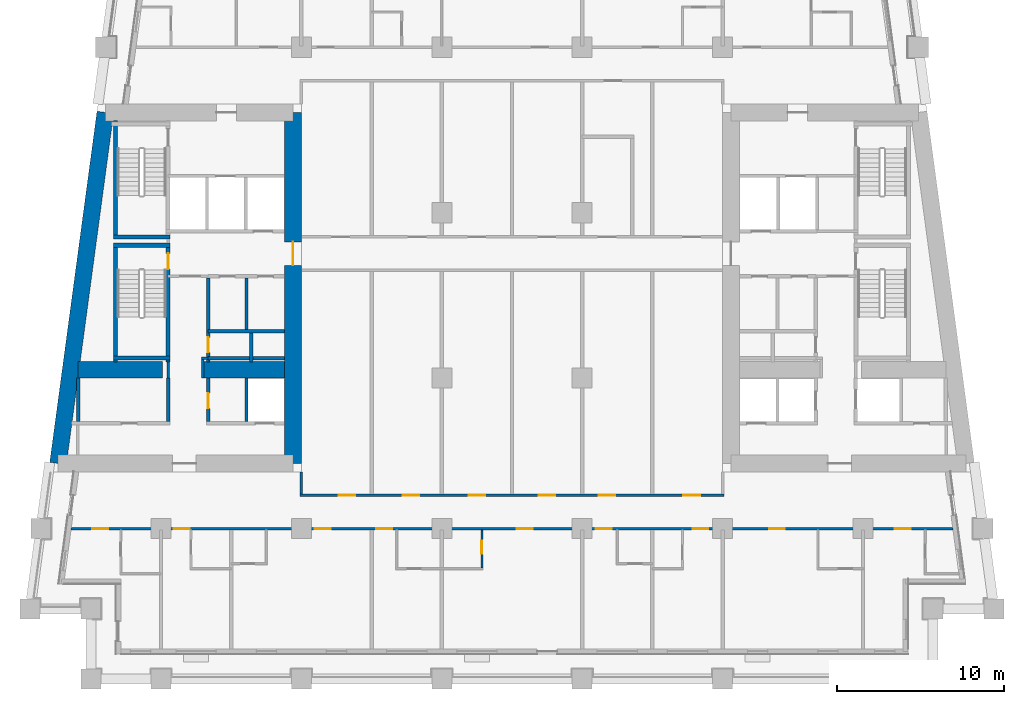
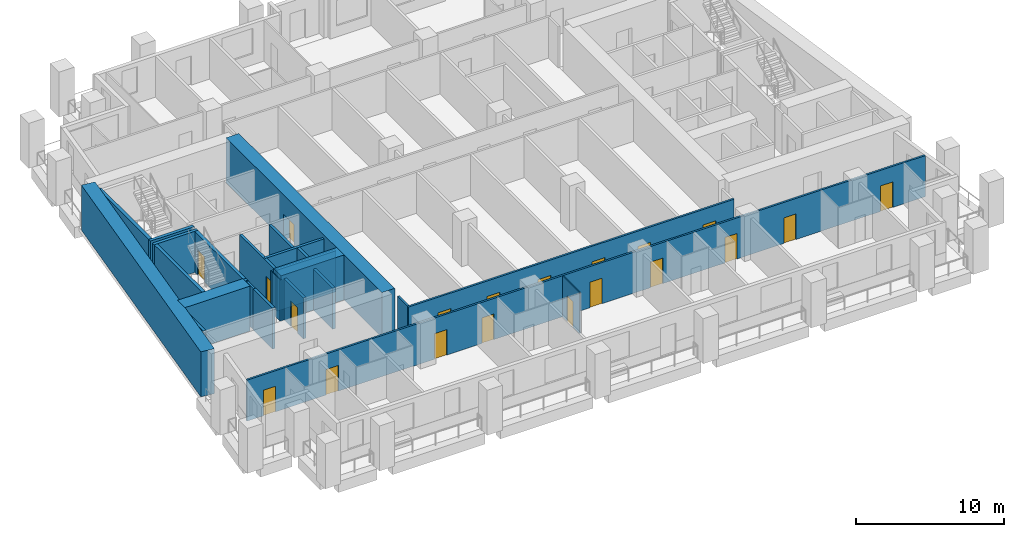
# One storey, part 3 of 13: 26 walls, 20 doors, 20 openings.
"""IFC4 building model written with IfcOpenShell, lengths in metres."""

from ifc_helpers import new_model, si_unit, direction, frame, frame_2d, origin, place, context, subcontext, project, spatial, rectangle, extrude, material, layer, layer_set, type_object, element, fill, save


model = new_model("IFC4")

# Units and contexts
model_context = context("Model", 3, precision=1e-05, world=origin(), true_north=direction((0.0, 1.0)))
body_context = subcontext(model_context, "Body", "Model", "MODEL_VIEW")
ifc_project = project(units=[si_unit("LENGTHUNIT", "METRE"), si_unit("AREAUNIT", "SQUARE_METRE"), si_unit("VOLUMEUNIT", "CUBIC_METRE"), si_unit("PLANEANGLEUNIT", "RADIAN"), si_unit("MASSUNIT", "GRAM", prefix="KILO")], contexts=[model_context])

# Site, building, storey
site_placement = place(None, origin())
site = spatial("IfcSite", under=ifc_project, at=site_placement, CompositionType="ELEMENT")
building_placement = place(site_placement, origin())
building = spatial("IfcBuilding", under=site, at=building_placement, Name="Candeia Pilgrim Tower and Theatre", CompositionType="ELEMENT")
storey_placement = place(building_placement, frame((0.0, 0.0, 98.39990234375)))
storey = spatial("IfcBuildingStorey", under=building, at=storey_placement, Name="L22", CompositionType="ELEMENT", Elevation=98.39990234375)

# Wall, opening, door
ifc_material_1 = material(Name="Concrete C70/85", Category="concrete")
ifc_layer_1 = layer(ifc_material_1, 1.0)
ifc_layer_set_1 = layer_set([ifc_layer_1], Name="Core wall 1000 C70/85")
wall_type_1 = type_object("IfcWallType", Name="Core wall 1000 C70/85", PredefinedType="SHEAR", material=ifc_layer_set_1)
wall_1_placement = place(storey_placement, frame((100.300048828125, 131.89990234375, 0.0), z_axis=(0.0, 0.0, 1.0), x_axis=(0.0, -1.0, 0.0)))
wall_1 = element("IfcWall", 1, at=wall_1_placement, inside=storey, type_object=wall_type_1, Name="Core wall W2", PredefinedType="SHEAR", context=body_context, shape_type="SweptSolid", body=[
    extrude(rectangle(XDim=21.0, YDim=1.0, at=frame_2d((10.5, 0.0))), origin(), (0.0, 0.0, 1.0), 3.7001953125),
])
opening_1_placement = place(wall_1_placement, frame((7.75, 0.0, 0.0)))
opening_1 = element("IfcOpeningElement", 2, at=opening_1_placement, cuts=wall_1, Name="Opening L22-D061", PredefinedType="OPENING", context=body_context, shape_type="SweptSolid", body=[
    extrude(rectangle(XDim=1.39990234375, YDim=2.10009765625, at=frame_2d((0.699951171875, 1.050048828125))), frame((0.0, 0.510009765625, 0.0), z_axis=(0.0, -1.0, 0.0), x_axis=(1.0, 0.0, 0.0)), (0.0, 0.0, 1.0), 1.02001953125),
])
ifc_material_2 = material(Name="Steel fire door set", Category="steel")
door_type_1 = type_object("IfcDoorType", Name="D-1400-FD60", OperationType="NOTDEFINED", PredefinedType="DOOR", material=ifc_material_2)
door_1_placement = place(opening_1_placement, origin())
door_1 = element("IfcDoor", 3, at=door_1_placement, inside=storey, type_object=door_type_1, Name="Door L22-D061", OperationType="SINGLE_SWING_LEFT", OverallHeight=2.10009765625, OverallWidth=1.39990234375, PredefinedType="DOOR", context=body_context, shape_type="SweptSolid", body=[
    extrude(rectangle(XDim=1.39990234375, YDim=2.10009765625, at=frame_2d((0.699951171875, 1.050048828125))), frame((0.0, 0.02490234375, 0.0), z_axis=(0.0, -1.0, 0.0), x_axis=(1.0, 0.0, 0.0)), (0.0, 0.0, 1.0), 0.050048828125),
])
fill(opening_1, door_1)

# Walls
wall_2_placement = place(storey_placement, frame((86.240966796875, 110.89990234375, 0.0), z_axis=(0.0, 0.0, 1.0), x_axis=(0.133411141623, 0.991060778808, 0.0)))
element("IfcWall", 4, at=wall_2_placement, inside=storey, type_object=wall_type_1, Name="Core wall W4", PredefinedType="SHEAR", context=body_context, shape_type="SweptSolid", body=[
    extrude(rectangle(XDim=21.189453125, YDim=1.0, at=frame_2d((10.5947265625, 0.0))), origin(), (0.0, 0.0, 1.0), 3.7001953125),
])
wall_3_placement = place(storey_placement, frame((87.423095703125, 116.5, 0.0), z_axis=(0.0, 0.0, 1.0), x_axis=(1.0, 0.0, 0.0)))
element("IfcWall", 5, at=wall_3_placement, inside=storey, type_object=wall_type_1, Name="Core wall W5", PredefinedType="SHEAR", context=body_context, shape_type="SweptSolid", body=[
    extrude(rectangle(XDim=5.076904296875, YDim=1.0, at=frame_2d((2.53857421875, 0.0))), origin(), (0.0, 0.0, 1.0), 3.7001953125),
])
wall_4_placement = place(storey_placement, frame((94.89990234375, 116.5, 0.0), z_axis=(0.0, 0.0, 1.0), x_axis=(1.0, 0.0, 0.0)))
element("IfcWall", 6, at=wall_4_placement, inside=storey, type_object=wall_type_1, Name="Core wall W6", PredefinedType="SHEAR", context=body_context, shape_type="SweptSolid", body=[
    extrude(rectangle(XDim=4.900146484375, YDim=1.0, at=frame_2d((2.4501953125, 0.0))), origin(), (0.0, 0.0, 1.0), 3.7001953125),
])

# Wall, opening, door
ifc_material_3 = material(Name="Gypsum board partition on steel studs", Category="steel")
ifc_layer_2 = layer(ifc_material_3, 0.10009765625)
ifc_layer_set_2 = layer_set([ifc_layer_2], Name="PW-100 room partition")
wall_type_2 = type_object("IfcWallType", Name="PW-100 room partition", PredefinedType="PARTITIONING", material=ifc_layer_set_2)
wall_5_placement = place(storey_placement, frame((111.60009765625, 104.64990234375, 0.0), z_axis=(0.0, 0.0, 1.0), x_axis=(0.0, 1.0, 0.0)))
wall_5 = element("IfcWall", 7, at=wall_5_placement, inside=storey, type_object=wall_type_2, Name="Room partition L22-085", PredefinedType="PARTITIONING", context=body_context, shape_type="SweptSolid", body=[
    extrude(rectangle(XDim=2.275146484375, YDim=0.10009765625, at=frame_2d((1.1376953125, 0.0))), origin(), (0.0, 0.0, 1.0), 3.380126953125),
])
opening_2_placement = place(wall_5_placement, frame((0.840087890625, 0.0, 0.0)))
opening_2 = element("IfcOpeningElement", 8, at=opening_2_placement, cuts=wall_5, Name="Opening L22-D025", PredefinedType="OPENING", context=body_context, shape_type="SweptSolid", body=[
    extrude(rectangle(XDim=0.800048828125, YDim=2.10009765625, at=frame_2d((0.39990234375, 1.050048828125))), frame((0.0, 0.06005859375, 0.0), z_axis=(0.0, -1.0, 0.0), x_axis=(1.0, 0.0, 0.0)), (0.0, 0.0, 1.0), 0.1201171875),
])
ifc_material_4 = material(Name="Timber door leaf", Category="wood")
door_type_2 = type_object("IfcDoorType", Name="D-800", OperationType="NOTDEFINED", PredefinedType="DOOR", material=ifc_material_4)
door_2_placement = place(opening_2_placement, origin())
door_2 = element("IfcDoor", 9, at=door_2_placement, inside=storey, type_object=door_type_2, Name="Door L22-D025", OperationType="SINGLE_SWING_LEFT", OverallHeight=2.10009765625, OverallWidth=0.800048828125, PredefinedType="DOOR", context=body_context, shape_type="SweptSolid", body=[
    extrude(rectangle(XDim=0.800048828125, YDim=2.10009765625, at=frame_2d((0.39990234375, 1.050048828125))), frame((0.0, 0.02490234375, 0.0), z_axis=(0.0, -1.0, 0.0), x_axis=(1.0, 0.0, 0.0)), (0.0, 0.0, 1.0), 0.050048828125),
])
fill(opening_2, door_2)

# Walls
ifc_layer_3 = layer(ifc_material_3, 0.14990234375)
ifc_layer_set_3 = layer_set([ifc_layer_3], Name="PW-150 lobby wall")
wall_type_3 = type_object("IfcWallType", Name="PW-150 lobby wall", PredefinedType="PARTITIONING", material=ifc_layer_set_3)
wall_6_placement = place(storey_placement, frame((94.824951171875, 117.199951171875, 0.0), z_axis=(0.0, 0.0, 1.0), x_axis=(1.0, 0.0, 0.0)))
element("IfcWall", 10, at=wall_6_placement, inside=storey, type_object=wall_type_3, Name="Lobby wall L22-017", PredefinedType="PARTITIONING", context=body_context, shape_type="SweptSolid", body=[
    extrude(rectangle(XDim=0.402099609375, YDim=0.14990234375, at=frame_2d((0.201171875, 0.0))), origin(), (0.0, 0.0, 1.0), 3.380126953125),
])
wall_7_placement = place(storey_placement, frame((92.826904296875, 116.0, 0.0), z_axis=(0.0, 0.0, 1.0), x_axis=(0.0, 1.0, 0.0)))
element("IfcWall", 11, at=wall_7_placement, inside=storey, type_object=wall_type_3, Name="Lobby wall L22-055", PredefinedType="PARTITIONING", context=body_context, shape_type="SweptSolid", body=[
    extrude(rectangle(XDim=0.969970703125, YDim=0.14990234375, at=frame_2d((0.48486328125, 0.0))), origin(), (0.0, 0.0, 1.0), 3.380126953125),
])
wall_8_placement = place(storey_placement, frame((94.89990234375, 116.0, 0.0), z_axis=(0.0, 0.0, 1.0), x_axis=(0.0, 1.0, 0.0)))
element("IfcWall", 12, at=wall_8_placement, inside=storey, type_object=wall_type_3, Name="Lobby wall L22-061", PredefinedType="PARTITIONING", context=body_context, shape_type="SweptSolid", body=[
    extrude(rectangle(XDim=1.125, YDim=0.14990234375, at=frame_2d((0.5625, 0.0))), origin(), (0.0, 0.0, 1.0), 3.380126953125),
])

# Wall, openings, doors
ifc_layer_4 = layer(ifc_material_3, 0.14990234375)
ifc_layer_set_4 = layer_set([ifc_layer_4], Name="PW-150 unit wall")
wall_type_4 = type_object("IfcWallType", Name="PW-150 unit wall", PredefinedType="PARTITIONING", material=ifc_layer_set_4)
wall_9_placement = place(storey_placement, frame((87.017578125, 107.0, 0.0), z_axis=(0.0, 0.0, 1.0), x_axis=(1.0, 0.0, 0.0)))
wall_9 = element("IfcWall", 13, at=wall_9_placement, inside=storey, type_object=wall_type_4, Name="Unit wall L22-009", PredefinedType="PARTITIONING", context=body_context, shape_type="SweptSolid", body=[
    extrude(rectangle(XDim=52.7646484375, YDim=0.14990234375, at=frame_2d((26.38232421875, 0.0))), origin(), (0.0, 0.0, 1.0), 3.380126953125),
])
opening_3_placement = place(wall_9_placement, frame((1.2763671875, 0.0, 0.0)))
opening_3 = element("IfcOpeningElement", 14, at=opening_3_placement, cuts=wall_9, Name="Opening L22-D016", PredefinedType="OPENING", context=body_context, shape_type="SweptSolid", body=[
    extrude(rectangle(XDim=0.949951171875, YDim=2.10009765625, at=frame_2d((0.47509765625, 1.050048828125))), frame((0.0, 0.0849609375, 0.0), z_axis=(0.0, -1.0, 0.0), x_axis=(1.0, 0.0, 0.0)), (0.0, 0.0, 1.0), 0.169921875),
])
opening_4_placement = place(wall_9_placement, frame((6.15234375, 0.0, 0.0)))
opening_4 = element("IfcOpeningElement", 15, at=opening_4_placement, cuts=wall_9, Name="Opening L22-D018", PredefinedType="OPENING", context=body_context, shape_type="SweptSolid", body=[
    extrude(rectangle(XDim=0.949951171875, YDim=2.10009765625, at=frame_2d((0.47509765625, 1.050048828125))), frame((0.0, 0.0849609375, 0.0), z_axis=(0.0, -1.0, 0.0), x_axis=(1.0, 0.0, 0.0)), (0.0, 0.0, 1.0), 0.169921875),
])
opening_5_placement = place(wall_9_placement, frame((14.59033203125, 0.0, 0.0)))
opening_5 = element("IfcOpeningElement", 16, at=opening_5_placement, cuts=wall_9, Name="Opening L22-D020", PredefinedType="OPENING", context=body_context, shape_type="SweptSolid", body=[
    extrude(rectangle(XDim=0.949951171875, YDim=2.10009765625, at=frame_2d((0.47509765625, 1.050048828125))), frame((0.0, 0.0849609375, 0.0), z_axis=(0.0, -1.0, 0.0), x_axis=(1.0, 0.0, 0.0)), (0.0, 0.0, 1.0), 0.169921875),
])
opening_6_placement = place(wall_9_placement, frame((18.25732421875, 0.0, 0.0)))
opening_6 = element("IfcOpeningElement", 17, at=opening_6_placement, cuts=wall_9, Name="Opening L22-D022", PredefinedType="OPENING", context=body_context, shape_type="SweptSolid", body=[
    extrude(rectangle(XDim=0.949951171875, YDim=2.10009765625, at=frame_2d((0.47509765625, 1.050048828125))), frame((0.0, 0.0849609375, 0.0), z_axis=(0.0, -1.0, 0.0), x_axis=(1.0, 0.0, 0.0)), (0.0, 0.0, 1.0), 0.169921875),
])
opening_7_placement = place(wall_9_placement, frame((26.67236328125, 0.0, 0.0)))
opening_7 = element("IfcOpeningElement", 18, at=opening_7_placement, cuts=wall_9, Name="Opening L22-D024", PredefinedType="OPENING", context=body_context, shape_type="SweptSolid", body=[
    extrude(rectangle(XDim=0.949951171875, YDim=2.10009765625, at=frame_2d((0.47509765625, 1.050048828125))), frame((0.0, 0.0849609375, 0.0), z_axis=(0.0, -1.0, 0.0), x_axis=(1.0, 0.0, 0.0)), (0.0, 0.0, 1.0), 0.169921875),
])
opening_8_placement = place(wall_9_placement, frame((31.392333984375, 0.0, 0.0)))
opening_8 = element("IfcOpeningElement", 19, at=opening_8_placement, cuts=wall_9, Name="Opening L22-D026", PredefinedType="OPENING", context=body_context, shape_type="SweptSolid", body=[
    extrude(rectangle(XDim=0.949951171875, YDim=2.10009765625, at=frame_2d((0.47509765625, 1.050048828125))), frame((0.0, 0.0849609375, 0.0), z_axis=(0.0, -1.0, 0.0), x_axis=(1.0, 0.0, 0.0)), (0.0, 0.0, 1.0), 0.169921875),
])
opening_9_placement = place(wall_9_placement, frame((37.182373046875, 0.0, 0.0)))
opening_9 = element("IfcOpeningElement", 20, at=opening_9_placement, cuts=wall_9, Name="Opening L22-D028", PredefinedType="OPENING", context=body_context, shape_type="SweptSolid", body=[
    extrude(rectangle(XDim=0.949951171875, YDim=2.10009765625, at=frame_2d((0.47509765625, 1.050048828125))), frame((0.0, 0.0849609375, 0.0), z_axis=(0.0, -1.0, 0.0), x_axis=(1.0, 0.0, 0.0)), (0.0, 0.0, 1.0), 0.169921875),
])
opening_10_placement = place(wall_9_placement, frame((41.76220703125, 0.0, 0.0)))
opening_10 = element("IfcOpeningElement", 21, at=opening_10_placement, cuts=wall_9, Name="Opening L22-D030", PredefinedType="OPENING", context=body_context, shape_type="SweptSolid", body=[
    extrude(rectangle(XDim=0.949951171875, YDim=2.10009765625, at=frame_2d((0.47509765625, 1.050048828125))), frame((0.0, 0.0849609375, 0.0), z_axis=(0.0, -1.0, 0.0), x_axis=(1.0, 0.0, 0.0)), (0.0, 0.0, 1.0), 0.169921875),
])
opening_11_placement = place(wall_9_placement, frame((49.285400390625, 0.0, 0.0)))
opening_11 = element("IfcOpeningElement", 22, at=opening_11_placement, cuts=wall_9, Name="Opening L22-D032", PredefinedType="OPENING", context=body_context, shape_type="SweptSolid", body=[
    extrude(rectangle(XDim=0.949951171875, YDim=2.10009765625, at=frame_2d((0.47509765625, 1.050048828125))), frame((0.0, 0.0849609375, 0.0), z_axis=(0.0, -1.0, 0.0), x_axis=(1.0, 0.0, 0.0)), (0.0, 0.0, 1.0), 0.169921875),
])
door_type_3 = type_object("IfcDoorType", Name="D-950-FD30S", OperationType="NOTDEFINED", PredefinedType="DOOR", material=ifc_material_2)
door_3_placement = place(opening_3_placement, origin())
door_3 = element("IfcDoor", 23, at=door_3_placement, inside=storey, type_object=door_type_3, Name="Door L22-D016", OperationType="SINGLE_SWING_RIGHT", OverallHeight=2.10009765625, OverallWidth=0.949951171875, PredefinedType="DOOR", context=body_context, shape_type="SweptSolid", body=[
    extrude(rectangle(XDim=0.949951171875, YDim=2.10009765625, at=frame_2d((0.47509765625, 1.050048828125))), frame((0.0, 0.02490234375, 0.0), z_axis=(0.0, -1.0, 0.0), x_axis=(1.0, 0.0, 0.0)), (0.0, 0.0, 1.0), 0.050048828125),
])
fill(opening_3, door_3)
door_4_placement = place(opening_4_placement, origin())
door_4 = element("IfcDoor", 24, at=door_4_placement, inside=storey, type_object=door_type_3, Name="Door L22-D018", OperationType="SINGLE_SWING_RIGHT", OverallHeight=2.10009765625, OverallWidth=0.949951171875, PredefinedType="DOOR", context=body_context, shape_type="SweptSolid", body=[
    extrude(rectangle(XDim=0.949951171875, YDim=2.10009765625, at=frame_2d((0.47509765625, 1.050048828125))), frame((0.0, 0.02490234375, 0.0), z_axis=(0.0, -1.0, 0.0), x_axis=(1.0, 0.0, 0.0)), (0.0, 0.0, 1.0), 0.050048828125),
])
fill(opening_4, door_4)
door_5_placement = place(opening_5_placement, origin())
door_5 = element("IfcDoor", 25, at=door_5_placement, inside=storey, type_object=door_type_3, Name="Door L22-D020", OperationType="SINGLE_SWING_RIGHT", OverallHeight=2.10009765625, OverallWidth=0.949951171875, PredefinedType="DOOR", context=body_context, shape_type="SweptSolid", body=[
    extrude(rectangle(XDim=0.949951171875, YDim=2.10009765625, at=frame_2d((0.47509765625, 1.050048828125))), frame((0.0, 0.02490234375, 0.0), z_axis=(0.0, -1.0, 0.0), x_axis=(1.0, 0.0, 0.0)), (0.0, 0.0, 1.0), 0.050048828125),
])
fill(opening_5, door_5)
door_6_placement = place(opening_6_placement, origin())
door_6 = element("IfcDoor", 26, at=door_6_placement, inside=storey, type_object=door_type_3, Name="Door L22-D022", OperationType="SINGLE_SWING_RIGHT", OverallHeight=2.10009765625, OverallWidth=0.949951171875, PredefinedType="DOOR", context=body_context, shape_type="SweptSolid", body=[
    extrude(rectangle(XDim=0.949951171875, YDim=2.10009765625, at=frame_2d((0.47509765625, 1.050048828125))), frame((0.0, 0.02490234375, 0.0), z_axis=(0.0, -1.0, 0.0), x_axis=(1.0, 0.0, 0.0)), (0.0, 0.0, 1.0), 0.050048828125),
])
fill(opening_6, door_6)
door_7_placement = place(opening_7_placement, origin())
door_7 = element("IfcDoor", 27, at=door_7_placement, inside=storey, type_object=door_type_3, Name="Door L22-D024", OperationType="SINGLE_SWING_RIGHT", OverallHeight=2.10009765625, OverallWidth=0.949951171875, PredefinedType="DOOR", context=body_context, shape_type="SweptSolid", body=[
    extrude(rectangle(XDim=0.949951171875, YDim=2.10009765625, at=frame_2d((0.47509765625, 1.050048828125))), frame((0.0, 0.02490234375, 0.0), z_axis=(0.0, -1.0, 0.0), x_axis=(1.0, 0.0, 0.0)), (0.0, 0.0, 1.0), 0.050048828125),
])
fill(opening_7, door_7)
door_8_placement = place(opening_8_placement, origin())
door_8 = element("IfcDoor", 28, at=door_8_placement, inside=storey, type_object=door_type_3, Name="Door L22-D026", OperationType="SINGLE_SWING_RIGHT", OverallHeight=2.10009765625, OverallWidth=0.949951171875, PredefinedType="DOOR", context=body_context, shape_type="SweptSolid", body=[
    extrude(rectangle(XDim=0.949951171875, YDim=2.10009765625, at=frame_2d((0.47509765625, 1.050048828125))), frame((0.0, 0.02490234375, 0.0), z_axis=(0.0, -1.0, 0.0), x_axis=(1.0, 0.0, 0.0)), (0.0, 0.0, 1.0), 0.050048828125),
])
fill(opening_8, door_8)
door_9_placement = place(opening_9_placement, origin())
door_9 = element("IfcDoor", 29, at=door_9_placement, inside=storey, type_object=door_type_3, Name="Door L22-D028", OperationType="SINGLE_SWING_RIGHT", OverallHeight=2.10009765625, OverallWidth=0.949951171875, PredefinedType="DOOR", context=body_context, shape_type="SweptSolid", body=[
    extrude(rectangle(XDim=0.949951171875, YDim=2.10009765625, at=frame_2d((0.47509765625, 1.050048828125))), frame((0.0, 0.02490234375, 0.0), z_axis=(0.0, -1.0, 0.0), x_axis=(1.0, 0.0, 0.0)), (0.0, 0.0, 1.0), 0.050048828125),
])
fill(opening_9, door_9)
door_10_placement = place(opening_10_placement, origin())
door_10 = element("IfcDoor", 30, at=door_10_placement, inside=storey, type_object=door_type_3, Name="Door L22-D030", OperationType="SINGLE_SWING_RIGHT", OverallHeight=2.10009765625, OverallWidth=0.949951171875, PredefinedType="DOOR", context=body_context, shape_type="SweptSolid", body=[
    extrude(rectangle(XDim=0.949951171875, YDim=2.10009765625, at=frame_2d((0.47509765625, 1.050048828125))), frame((0.0, 0.02490234375, 0.0), z_axis=(0.0, -1.0, 0.0), x_axis=(1.0, 0.0, 0.0)), (0.0, 0.0, 1.0), 0.050048828125),
])
fill(opening_10, door_10)
door_11_placement = place(opening_11_placement, origin())
door_11 = element("IfcDoor", 31, at=door_11_placement, inside=storey, type_object=door_type_3, Name="Door L22-D032", OperationType="SINGLE_SWING_RIGHT", OverallHeight=2.10009765625, OverallWidth=0.949951171875, PredefinedType="DOOR", context=body_context, shape_type="SweptSolid", body=[
    extrude(rectangle(XDim=0.949951171875, YDim=2.10009765625, at=frame_2d((0.47509765625, 1.050048828125))), frame((0.0, 0.02490234375, 0.0), z_axis=(0.0, -1.0, 0.0), x_axis=(1.0, 0.0, 0.0)), (0.0, 0.0, 1.0), 0.050048828125),
])
fill(opening_11, door_11)

wall_10_placement = place(storey_placement, frame((100.72509765625, 109.0, 0.0), z_axis=(0.0, 0.0, 1.0), x_axis=(1.0, 0.0, 0.0)))
wall_10 = element("IfcWall", 32, at=wall_10_placement, inside=storey, type_object=wall_type_4, Name="Unit wall L22-010", PredefinedType="PARTITIONING", context=body_context, shape_type="SweptSolid", body=[
    extrude(rectangle(XDim=25.349853515625, YDim=0.14990234375, at=frame_2d((12.6748046875, 0.0))), origin(), (0.0, 0.0, 1.0), 3.380126953125),
])
opening_12_placement = place(wall_10_placement, frame((2.300048828125, 0.0, 0.0)))
opening_12 = element("IfcOpeningElement", 33, at=opening_12_placement, cuts=wall_10, Name="Opening L22-D047", PredefinedType="OPENING", context=body_context, shape_type="SweptSolid", body=[
    extrude(rectangle(XDim=1.0, YDim=2.10009765625, at=frame_2d((0.5, 1.050048828125))), frame((0.0, 0.0849609375, 0.0), z_axis=(0.0, -1.0, 0.0), x_axis=(1.0, 0.0, 0.0)), (0.0, 0.0, 1.0), 0.169921875),
])
opening_13_placement = place(wall_10_placement, frame((6.125, 0.0, 0.0)))
opening_13 = element("IfcOpeningElement", 34, at=opening_13_placement, cuts=wall_10, Name="Opening L22-D048", PredefinedType="OPENING", context=body_context, shape_type="SweptSolid", body=[
    extrude(rectangle(XDim=1.0, YDim=2.10009765625, at=frame_2d((0.5, 1.050048828125))), frame((0.0, 0.0849609375, 0.0), z_axis=(0.0, -1.0, 0.0), x_axis=(1.0, 0.0, 0.0)), (0.0, 0.0, 1.0), 0.169921875),
])
opening_14_placement = place(wall_10_placement, frame((10.074951171875, 0.0, 0.0)))
opening_14 = element("IfcOpeningElement", 35, at=opening_14_placement, cuts=wall_10, Name="Opening L22-D049", PredefinedType="OPENING", context=body_context, shape_type="SweptSolid", body=[
    extrude(rectangle(XDim=1.0, YDim=2.10009765625, at=frame_2d((0.5, 1.050048828125))), frame((0.0, 0.0849609375, 0.0), z_axis=(0.0, -1.0, 0.0), x_axis=(1.0, 0.0, 0.0)), (0.0, 0.0, 1.0), 0.169921875),
])
opening_15_placement = place(wall_10_placement, frame((14.27490234375, 0.0, 0.0)))
opening_15 = element("IfcOpeningElement", 36, at=opening_15_placement, cuts=wall_10, Name="Opening L22-D050", PredefinedType="OPENING", context=body_context, shape_type="SweptSolid", body=[
    extrude(rectangle(XDim=1.0, YDim=2.10009765625, at=frame_2d((0.5, 1.050048828125))), frame((0.0, 0.0849609375, 0.0), z_axis=(0.0, -1.0, 0.0), x_axis=(1.0, 0.0, 0.0)), (0.0, 0.0, 1.0), 0.169921875),
])
opening_16_placement = place(wall_10_placement, frame((17.85009765625, 0.0, 0.0)))
opening_16 = element("IfcOpeningElement", 37, at=opening_16_placement, cuts=wall_10, Name="Opening L22-D051", PredefinedType="OPENING", context=body_context, shape_type="SweptSolid", body=[
    extrude(rectangle(XDim=1.0, YDim=2.10009765625, at=frame_2d((0.5, 1.050048828125))), frame((0.0, 0.0849609375, 0.0), z_axis=(0.0, -1.0, 0.0), x_axis=(1.0, 0.0, 0.0)), (0.0, 0.0, 1.0), 0.169921875),
])
opening_17_placement = place(wall_10_placement, frame((22.925048828125, 0.0, 0.0)))
opening_17 = element("IfcOpeningElement", 38, at=opening_17_placement, cuts=wall_10, Name="Opening L22-D052", PredefinedType="OPENING", context=body_context, shape_type="SweptSolid", body=[
    extrude(rectangle(XDim=1.0, YDim=2.10009765625, at=frame_2d((0.5, 1.050048828125))), frame((0.0, 0.0849609375, 0.0), z_axis=(0.0, -1.0, 0.0), x_axis=(1.0, 0.0, 0.0)), (0.0, 0.0, 1.0), 0.169921875),
])
door_type_4 = type_object("IfcDoorType", Name="D-1000-FD30S", OperationType="NOTDEFINED", PredefinedType="DOOR", material=ifc_material_2)
door_12_placement = place(opening_12_placement, origin())
door_12 = element("IfcDoor", 39, at=door_12_placement, inside=storey, type_object=door_type_4, Name="Door L22-D047", OperationType="SINGLE_SWING_LEFT", OverallHeight=2.10009765625, OverallWidth=1.0, PredefinedType="DOOR", context=body_context, shape_type="SweptSolid", body=[
    extrude(rectangle(XDim=1.0, YDim=2.10009765625, at=frame_2d((0.5, 1.050048828125))), frame((0.0, 0.02490234375, 0.0), z_axis=(0.0, -1.0, 0.0), x_axis=(1.0, 0.0, 0.0)), (0.0, 0.0, 1.0), 0.050048828125),
])
fill(opening_12, door_12)
door_13_placement = place(opening_13_placement, origin())
door_13 = element("IfcDoor", 40, at=door_13_placement, inside=storey, type_object=door_type_4, Name="Door L22-D048", OperationType="SINGLE_SWING_RIGHT", OverallHeight=2.10009765625, OverallWidth=1.0, PredefinedType="DOOR", context=body_context, shape_type="SweptSolid", body=[
    extrude(rectangle(XDim=1.0, YDim=2.10009765625, at=frame_2d((0.5, 1.050048828125))), frame((0.0, 0.02490234375, 0.0), z_axis=(0.0, -1.0, 0.0), x_axis=(1.0, 0.0, 0.0)), (0.0, 0.0, 1.0), 0.050048828125),
])
fill(opening_13, door_13)
door_14_placement = place(opening_14_placement, origin())
door_14 = element("IfcDoor", 41, at=door_14_placement, inside=storey, type_object=door_type_4, Name="Door L22-D049", OperationType="SINGLE_SWING_LEFT", OverallHeight=2.10009765625, OverallWidth=1.0, PredefinedType="DOOR", context=body_context, shape_type="SweptSolid", body=[
    extrude(rectangle(XDim=1.0, YDim=2.10009765625, at=frame_2d((0.5, 1.050048828125))), frame((0.0, 0.02490234375, 0.0), z_axis=(0.0, -1.0, 0.0), x_axis=(1.0, 0.0, 0.0)), (0.0, 0.0, 1.0), 0.050048828125),
])
fill(opening_14, door_14)
door_15_placement = place(opening_15_placement, origin())
door_15 = element("IfcDoor", 42, at=door_15_placement, inside=storey, type_object=door_type_4, Name="Door L22-D050", OperationType="SINGLE_SWING_RIGHT", OverallHeight=2.10009765625, OverallWidth=1.0, PredefinedType="DOOR", context=body_context, shape_type="SweptSolid", body=[
    extrude(rectangle(XDim=1.0, YDim=2.10009765625, at=frame_2d((0.5, 1.050048828125))), frame((0.0, 0.02490234375, 0.0), z_axis=(0.0, -1.0, 0.0), x_axis=(1.0, 0.0, 0.0)), (0.0, 0.0, 1.0), 0.050048828125),
])
fill(opening_15, door_15)
door_16_placement = place(opening_16_placement, origin())
door_16 = element("IfcDoor", 43, at=door_16_placement, inside=storey, type_object=door_type_4, Name="Door L22-D051", OperationType="SINGLE_SWING_LEFT", OverallHeight=2.10009765625, OverallWidth=1.0, PredefinedType="DOOR", context=body_context, shape_type="SweptSolid", body=[
    extrude(rectangle(XDim=1.0, YDim=2.10009765625, at=frame_2d((0.5, 1.050048828125))), frame((0.0, 0.02490234375, 0.0), z_axis=(0.0, -1.0, 0.0), x_axis=(1.0, 0.0, 0.0)), (0.0, 0.0, 1.0), 0.050048828125),
])
fill(opening_16, door_16)
door_17_placement = place(opening_17_placement, origin())
door_17 = element("IfcDoor", 44, at=door_17_placement, inside=storey, type_object=door_type_4, Name="Door L22-D052", OperationType="SINGLE_SWING_RIGHT", OverallHeight=2.10009765625, OverallWidth=1.0, PredefinedType="DOOR", context=body_context, shape_type="SweptSolid", body=[
    extrude(rectangle(XDim=1.0, YDim=2.10009765625, at=frame_2d((0.5, 1.050048828125))), frame((0.0, 0.02490234375, 0.0), z_axis=(0.0, -1.0, 0.0), x_axis=(1.0, 0.0, 0.0)), (0.0, 0.0, 1.0), 0.050048828125),
])
fill(opening_17, door_17)

# Walls
wall_11_placement = place(storey_placement, frame((100.800048828125, 109.074951171875, 0.0), z_axis=(0.0, 0.0, 1.0), x_axis=(0.0, 1.0, 0.0)))
element("IfcWall", 45, at=wall_11_placement, inside=storey, type_object=wall_type_4, Name="Unit wall L22-073", PredefinedType="PARTITIONING", context=body_context, shape_type="SweptSolid", body=[
    extrude(rectangle(XDim=1.324951171875, YDim=0.14990234375, at=frame_2d((0.66259765625, 0.0))), origin(), (0.0, 0.0, 1.0), 3.380126953125),
])
ifc_material_5 = material(Name="Concrete C40/50", Category="concrete")
ifc_layer_5 = layer(ifc_material_5, 0.199951171875)
ifc_layer_set_5 = layer_set([ifc_layer_5], Name="SW-200 shaft wall")
wall_type_5 = type_object("IfcWallType", Name="SW-200 shaft wall", PredefinedType="PARTITIONING", material=ifc_layer_set_5)
for number, where, z_axis, x_axis, name in (
    (46, (95.22705078125, 117.199951171875, 0.0), (0.0, 0.0, 1.0), (1.0, 0.0, 0.0), "Shaft wall L22-015"),
    (47, (95.22705078125, 118.800048828125, 0.0), (0.0, 0.0, 1.0), (1.0, 0.0, 0.0), "Shaft wall L22-021"),
):
    element("IfcWall", number, at=place(storey_placement, frame(where, z_axis=z_axis, x_axis=x_axis)), inside=storey, type_object=wall_type_5, Name=name, PredefinedType="PARTITIONING", context=body_context, shape_type="SweptSolid", body=[
        extrude(rectangle(XDim=4.572998046875, YDim=0.199951171875, at=frame_2d((2.28662109375, 0.0))), origin(), (0.0, 0.0, 1.0), 3.380126953125),
    ])
for number, where, z_axis, x_axis, name in (
    (48, (87.451171875, 113.39990234375, 0.0), (0.0, 0.0, 1.0), (0.0, 1.0, 0.0), "Shaft wall L22-048"),
    (49, (92.826904296875, 113.39990234375, 0.0), (0.0, 0.0, 1.0), (0.0, 1.0, 0.0), "Shaft wall L22-054"),
):
    element("IfcWall", number, at=place(storey_placement, frame(where, z_axis=z_axis, x_axis=x_axis)), inside=storey, type_object=wall_type_5, Name=name, PredefinedType="PARTITIONING", context=body_context, shape_type="SweptSolid", body=[
        extrude(rectangle(XDim=2.60009765625, YDim=0.199951171875, at=frame_2d((1.300048828125, 0.0))), origin(), (0.0, 0.0, 1.0), 3.380126953125),
    ])

# Wall, opening, door
wall_12_placement = place(storey_placement, frame((95.22705078125, 113.39990234375, 0.0), z_axis=(0.0, 0.0, 1.0), x_axis=(0.0, 1.0, 0.0)))
wall_12 = element("IfcWall", 50, at=wall_12_placement, inside=storey, type_object=wall_type_5, Name="Shaft wall L22-063", PredefinedType="PARTITIONING", context=body_context, shape_type="SweptSolid", body=[
    extrude(rectangle(XDim=2.60009765625, YDim=0.199951171875, at=frame_2d((1.300048828125, 0.0))), origin(), (0.0, 0.0, 1.0), 3.380126953125),
])
opening_18_placement = place(wall_12_placement, frame((0.800048828125, 0.0, 0.0)))
opening_18 = element("IfcOpeningElement", 51, at=opening_18_placement, cuts=wall_12, Name="Opening L22-D008", PredefinedType="OPENING", context=body_context, shape_type="SweptSolid", body=[
    extrude(rectangle(XDim=0.89990234375, YDim=2.10009765625, at=frame_2d((0.449951171875, 1.050048828125))), frame((0.0, 0.10986328125, 0.0), z_axis=(0.0, -1.0, 0.0), x_axis=(1.0, 0.0, 0.0)), (0.0, 0.0, 1.0), 0.219970703125),
])
door_type_5 = type_object("IfcDoorType", Name="D-900-FD60", OperationType="NOTDEFINED", PredefinedType="DOOR", material=ifc_material_2)
door_18_placement = place(opening_18_placement, origin())
door_18 = element("IfcDoor", 52, at=door_18_placement, inside=storey, type_object=door_type_5, Name="Door L22-D008", OperationType="SINGLE_SWING_LEFT", OverallHeight=2.10009765625, OverallWidth=0.89990234375, PredefinedType="DOOR", context=body_context, shape_type="SweptSolid", body=[
    extrude(rectangle(XDim=0.89990234375, YDim=2.10009765625, at=frame_2d((0.449951171875, 1.050048828125))), frame((0.0, 0.02490234375, 0.0), z_axis=(0.0, -1.0, 0.0), x_axis=(1.0, 0.0, 0.0)), (0.0, 0.0, 1.0), 0.050048828125),
])
fill(opening_18, door_18)

wall_13_placement = place(storey_placement, frame((95.22705078125, 116.969970703125, 0.0), z_axis=(0.0, 0.0, 1.0), x_axis=(0.0, 1.0, 0.0)))
wall_13 = element("IfcWall", 53, at=wall_13_placement, inside=storey, type_object=wall_type_5, Name="Shaft wall L22-064", PredefinedType="PARTITIONING", context=body_context, shape_type="SweptSolid", body=[
    extrude(rectangle(XDim=5.030029296875, YDim=0.199951171875, at=frame_2d((2.51513671875, 0.0))), origin(), (0.0, 0.0, 1.0), 3.380126953125),
])
opening_19_placement = place(wall_13_placement, frame((0.580078125, 0.0, 0.0)))
opening_19 = element("IfcOpeningElement", 54, at=opening_19_placement, cuts=wall_13, Name="Opening L22-D006", PredefinedType="OPENING", context=body_context, shape_type="SweptSolid", body=[
    extrude(rectangle(XDim=0.89990234375, YDim=2.10009765625, at=frame_2d((0.449951171875, 1.050048828125))), frame((0.0, 0.10986328125, 0.0), z_axis=(0.0, -1.0, 0.0), x_axis=(1.0, 0.0, 0.0)), (0.0, 0.0, 1.0), 0.219970703125),
])
door_19_placement = place(opening_19_placement, origin())
door_19 = element("IfcDoor", 55, at=door_19_placement, inside=storey, type_object=door_type_5, Name="Door L22-D006", OperationType="SINGLE_SWING_RIGHT", OverallHeight=2.10009765625, OverallWidth=0.89990234375, PredefinedType="DOOR", context=body_context, shape_type="SweptSolid", body=[
    extrude(rectangle(XDim=0.89990234375, YDim=2.10009765625, at=frame_2d((0.449951171875, 1.050048828125))), frame((0.0, 0.02490234375, 0.0), z_axis=(0.0, -1.0, 0.0), x_axis=(1.0, 0.0, 0.0)), (0.0, 0.0, 1.0), 0.050048828125),
])
fill(opening_19, door_19)

# Walls
wall_14_placement = place(storey_placement, frame((97.513427734375, 113.39990234375, 0.0), z_axis=(0.0, 0.0, 1.0), x_axis=(0.0, 1.0, 0.0)))
element("IfcWall", 56, at=wall_14_placement, inside=storey, type_object=wall_type_5, Name="Shaft wall L22-068", PredefinedType="PARTITIONING", context=body_context, shape_type="SweptSolid", body=[
    extrude(rectangle(XDim=2.60009765625, YDim=0.199951171875, at=frame_2d((1.300048828125, 0.0))), origin(), (0.0, 0.0, 1.0), 3.380126953125),
])
wall_15_placement = place(storey_placement, frame((97.513427734375, 118.89990234375, 0.0), z_axis=(0.0, 0.0, 1.0), x_axis=(0.0, 1.0, 0.0)))
element("IfcWall", 57, at=wall_15_placement, inside=storey, type_object=wall_type_5, Name="Shaft wall L22-069", PredefinedType="PARTITIONING", context=body_context, shape_type="SweptSolid", body=[
    extrude(rectangle(XDim=3.10009765625, YDim=0.199951171875, at=frame_2d((1.550048828125, 0.0))), origin(), (0.0, 0.0, 1.0), 3.380126953125),
])
wall_16_placement = place(storey_placement, frame((97.800048828125, 116.969970703125, 0.0), z_axis=(0.0, 0.0, 1.0), x_axis=(0.0, 1.0, 0.0)))
element("IfcWall", 58, at=wall_16_placement, inside=storey, type_object=wall_type_5, Name="Shaft wall L22-070", PredefinedType="PARTITIONING", context=body_context, shape_type="SweptSolid", body=[
    extrude(rectangle(XDim=1.72998046875, YDim=0.199951171875, at=frame_2d((0.864990234375, 0.0))), origin(), (0.0, 0.0, 1.0), 3.380126953125),
])
ifc_layer_6 = layer(ifc_material_5, 0.25)
ifc_layer_set_6 = layer_set([ifc_layer_6], Name="SW-250 stair wall")
wall_type_6 = type_object("IfcWallType", Name="SW-250 stair wall", PredefinedType="PARTITIONING", material=ifc_layer_set_6)
for number, where, z_axis, x_axis, name in (
    (59, (89.552001953125, 117.199951171875, 0.0), (0.0, 0.0, 1.0), (1.0, 0.0, 0.0), "Stair wall L22-019"),
    (60, (89.552001953125, 123.949951171875, 0.0), (0.0, 0.0, 1.0), (1.0, 0.0, 0.0), "Stair wall L22-028"),
    (61, (89.552001953125, 124.449951171875, 0.0), (0.0, 0.0, 1.0), (1.0, 0.0, 0.0), "Stair wall L22-030"),
):
    element("IfcWall", number, at=place(storey_placement, frame(where, z_axis=z_axis, x_axis=x_axis)), inside=storey, type_object=wall_type_6, Name=name, PredefinedType="PARTITIONING", context=body_context, shape_type="SweptSolid", body=[
        extrude(rectangle(XDim=3.39990234375, YDim=0.25, at=frame_2d((1.699951171875, 0.0))), origin(), (0.0, 0.0, 1.0), 3.380126953125),
    ])
for number, where, z_axis, x_axis, name in (
    (62, (89.677001953125, 116.969970703125, 0.0), (0.0, 0.0, 1.0), (0.0, 1.0, 0.0), "Stair wall L22-050"),
    (63, (89.677001953125, 124.574951171875, 0.0), (0.0, 0.0, 1.0), (0.0, 1.0, 0.0), "Stair wall L22-051"),
):
    element("IfcWall", number, at=place(storey_placement, frame(where, z_axis=z_axis, x_axis=x_axis)), inside=storey, type_object=wall_type_6, Name=name, PredefinedType="PARTITIONING", context=body_context, shape_type="SweptSolid", body=[
        extrude(rectangle(XDim=6.85498046875, YDim=0.25, at=frame_2d((3.427490234375, 0.0))), origin(), (0.0, 0.0, 1.0), 3.380126953125),
    ])

# Wall, opening, door
wall_17_placement = place(storey_placement, frame((92.826904296875, 116.969970703125, 0.0), z_axis=(0.0, 0.0, 1.0), x_axis=(0.0, 1.0, 0.0)))
wall_17 = element("IfcWall", 64, at=wall_17_placement, inside=storey, type_object=wall_type_6, Name="Stair wall L22-057", PredefinedType="PARTITIONING", context=body_context, shape_type="SweptSolid", body=[
    extrude(rectangle(XDim=6.85498046875, YDim=0.25, at=frame_2d((3.427490234375, 0.0))), origin(), (0.0, 0.0, 1.0), 3.380126953125),
])
opening_20_placement = place(wall_17_placement, frame((5.554931640625, 0.0, 0.0)))
opening_20 = element("IfcOpeningElement", 65, at=opening_20_placement, cuts=wall_17, Name="Opening L22-D004", PredefinedType="OPENING", context=body_context, shape_type="SweptSolid", body=[
    extrude(rectangle(XDim=0.949951171875, YDim=2.10009765625, at=frame_2d((0.47509765625, 1.050048828125))), frame((0.0, 0.135009765625, 0.0), z_axis=(0.0, -1.0, 0.0), x_axis=(1.0, 0.0, 0.0)), (0.0, 0.0, 1.0), 0.27001953125),
])
door_type_6 = type_object("IfcDoorType", Name="D-950-FD60", OperationType="NOTDEFINED", PredefinedType="DOOR", material=ifc_material_2)
door_20_placement = place(opening_20_placement, origin())
door_20 = element("IfcDoor", 66, at=door_20_placement, inside=storey, type_object=door_type_6, Name="Door L22-D004", OperationType="SINGLE_SWING_RIGHT", OverallHeight=2.10009765625, OverallWidth=0.949951171875, PredefinedType="DOOR", context=body_context, shape_type="SweptSolid", body=[
    extrude(rectangle(XDim=0.949951171875, YDim=2.10009765625, at=frame_2d((0.47509765625, 1.050048828125))), frame((0.0, 0.02490234375, 0.0), z_axis=(0.0, -1.0, 0.0), x_axis=(1.0, 0.0, 0.0)), (0.0, 0.0, 1.0), 0.050048828125),
])
fill(opening_20, door_20)

save(model, "model.ifc")
